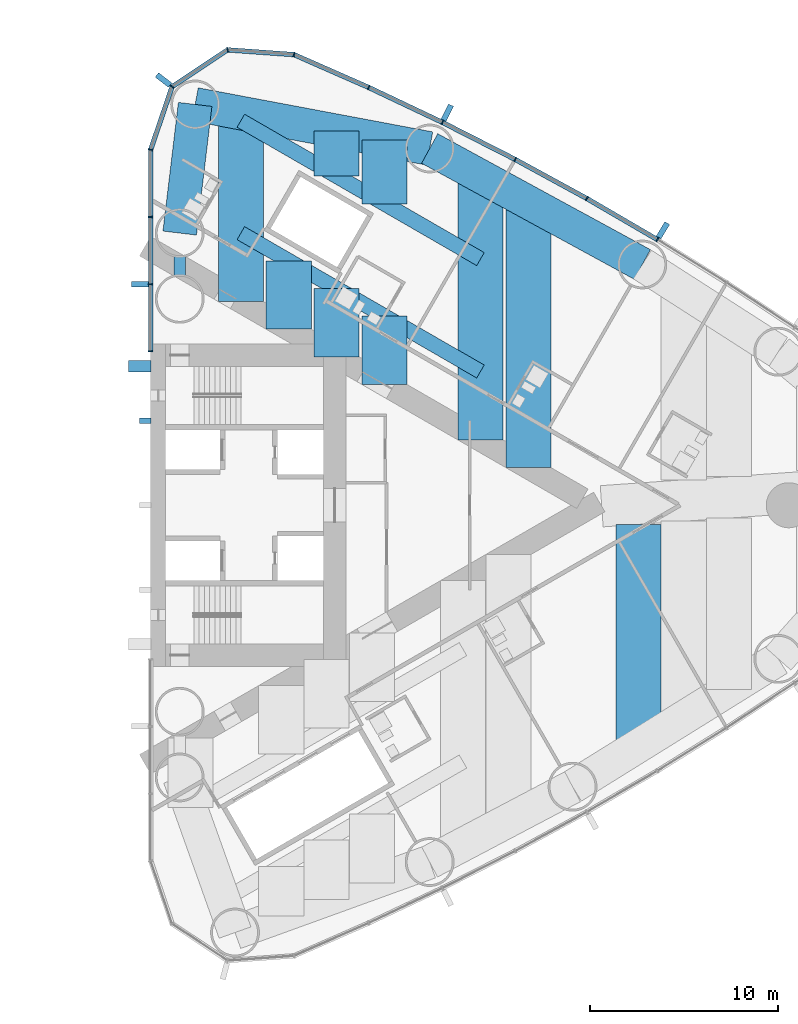
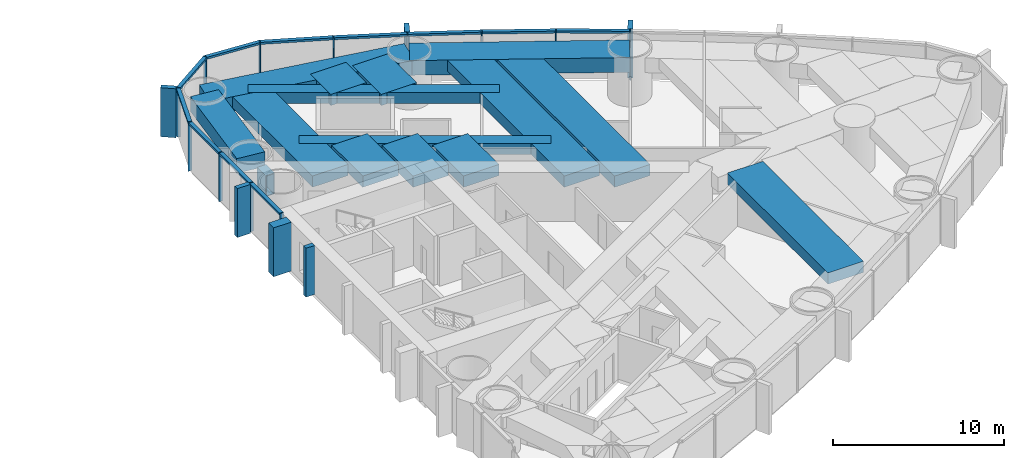
# One storey, part 7 of 19: 29 members, 15 beams, 1 element without a shape of its own.
"""IFC4 building model written with IfcOpenShell, lengths in metres."""

from ifc_helpers import new_model, si_unit, direction, frame, origin, origin_2d, place, context, subcontext, project, spatial, rectangle, hollow_rectangle, extrude, material, material_profile, profile_set, type_object, element, aggregate, save


model = new_model("IFC4")

# Units and contexts
model_context = context("Model", 3, precision=1e-05, world=origin(), true_north=direction((0.0, 1.0)))
body_context = subcontext(model_context, "Body", "Model", "MODEL_VIEW")
ifc_project = project(units=[si_unit("LENGTHUNIT", "METRE"), si_unit("AREAUNIT", "SQUARE_METRE"), si_unit("VOLUMEUNIT", "CUBIC_METRE"), si_unit("PLANEANGLEUNIT", "RADIAN"), si_unit("MASSUNIT", "GRAM", prefix="KILO")], contexts=[model_context])

# Site, building, storey
site_placement = place(None, origin())
site = spatial("IfcSite", under=ifc_project, at=site_placement, CompositionType="ELEMENT")
building_placement = place(site_placement, origin())
building = spatial("IfcBuilding", under=site, at=building_placement, Name="Lancet Gate Hotel", CompositionType="ELEMENT")
storey_placement = place(building_placement, frame((0.0, 0.0, 132.60009765625)))
storey = spatial("IfcBuildingStorey", under=building, at=storey_placement, Name="L35", CompositionType="ELEMENT", Elevation=132.60009765625)

# Curtain wall, members
ifc_material_1 = material(Name="Aluminium curtain wall", Category="aluminium")
curtain_wall_type = type_object("IfcCurtainWallType", Name="Tower unitised curtain wall", PredefinedType="USERDEFINED", material=ifc_material_1)
curtain_wall_placement = place(storey_placement, origin())
curtain_wall = element("IfcCurtainWall", 1, at=curtain_wall_placement, inside=storey, type_object=curtain_wall_type, Name="T2 L35 curtain wall 1", ObjectType="UNITISED CURTAIN WALL", PredefinedType="USERDEFINED")
ifc_material_2 = material(Name="Aluminium mullion", Category="aluminium")
ifc_material_profile_1 = material_profile(ifc_material_2, rectangle(XDim=0.06494140625, YDim=0.25, at=origin_2d()), Name="MULLION 65x250")
ifc_profile_set_1 = profile_set([ifc_material_profile_1], Name="Aluminium mullion")
member_type_1 = type_object("IfcMemberType", Name="Aluminium mullion 65x250", PredefinedType="MULLION", material=ifc_profile_set_1)
member_1_placement = place(storey_placement, frame((54.496337890625, 14.1552734375, 0.0), z_axis=(0.0, 0.0, 1.0), x_axis=(-0.856728030701, 0.515768437781, 0.0)))
member_1 = element("IfcMember", 2, at=member_1_placement, type_object=member_type_1, Name="T2 L35 curtain wall 1 mullion 23", PredefinedType="MULLION", context=body_context, shape_type="SweptSolid", body=[
    extrude(rectangle(XDim=0.06494140625, YDim=0.25, at=origin_2d()), origin(), (0.0, 0.0, 1.0), 3.5),
])
member_2_placement = place(storey_placement, frame((50.740478515625, 16.344482421875, 0.0), z_axis=(0.0, 0.0, 1.0), x_axis=(-0.871028838445, 0.491231882716, 0.0)))
member_2 = element("IfcMember", 3, at=member_2_placement, type_object=member_type_1, Name="T2 L35 curtain wall 1 mullion 24", PredefinedType="MULLION", context=body_context, shape_type="SweptSolid", body=[
    extrude(rectangle(XDim=0.06494140625, YDim=0.25, at=origin_2d()), origin(), (0.0, 0.0, 1.0), 3.5),
])
member_3_placement = place(storey_placement, frame((46.923828125, 18.426025390625, 0.0), z_axis=(0.0, 0.0, 1.0), x_axis=(-0.884627112962, 0.466299121822, 0.0)))
member_3 = element("IfcMember", 4, at=member_3_placement, type_object=member_type_1, Name="T2 L35 curtain wall 1 mullion 25", PredefinedType="MULLION", context=body_context, shape_type="SweptSolid", body=[
    extrude(rectangle(XDim=0.06494140625, YDim=0.25, at=origin_2d()), origin(), (0.0, 0.0, 1.0), 3.5),
])
member_4_placement = place(storey_placement, frame((43.0498046875, 20.398193359375, 0.0), z_axis=(0.0, 0.0, 1.0), x_axis=(-0.897511886496, 0.440990264743, 0.0)))
member_4 = element("IfcMember", 5, at=member_4_placement, type_object=member_type_1, Name="T2 L35 curtain wall 1 mullion 26", PredefinedType="MULLION", context=body_context, shape_type="SweptSolid", body=[
    extrude(rectangle(XDim=0.06494140625, YDim=0.25, at=origin_2d()), origin(), (0.0, 0.0, 1.0), 3.5),
])
member_5_placement = place(storey_placement, frame((39.12109375, 22.259765625, 0.0), z_axis=(0.0, 0.0, 1.0), x_axis=(-0.909672766767, 0.415325724465, 0.0)))
member_5 = element("IfcMember", 6, at=member_5_placement, type_object=member_type_1, Name="T2 L35 curtain wall 1 mullion 27", PredefinedType="MULLION", context=body_context, shape_type="SweptSolid", body=[
    extrude(rectangle(XDim=0.06494140625, YDim=0.25, at=origin_2d()), origin(), (0.0, 0.0, 1.0), 3.5),
])
member_6_placement = place(storey_placement, frame((35.141357421875, 24.009033203125, 0.0), z_axis=(0.0, 0.0, 1.0), x_axis=(-0.966317378791, 0.257353304711, 0.0)))
member_6 = element("IfcMember", 7, at=member_6_placement, type_object=member_type_1, Name="T2 L35 curtain wall 1 mullion 28", PredefinedType="MULLION", context=body_context, shape_type="SweptSolid", body=[
    extrude(rectangle(XDim=0.06494140625, YDim=0.25, at=origin_2d()), origin(), (0.0, 0.0, 1.0), 3.5),
])
member_7_placement = place(storey_placement, frame((31.60205078125, 24.26220703125, 0.0), z_axis=(0.0, 0.0, 1.0), x_axis=(-0.967157174963, -0.254179068604, 0.0)))
member_7 = element("IfcMember", 8, at=member_7_placement, type_object=member_type_1, Name="T2 L35 curtain wall 1 mullion 29", PredefinedType="MULLION", context=body_context, shape_type="SweptSolid", body=[
    extrude(rectangle(XDim=0.06494140625, YDim=0.25, at=origin_2d()), origin(), (0.0, 0.0, 1.0), 3.5),
])
member_8_placement = place(storey_placement, frame((28.64453125, 22.301513671875, 0.0), z_axis=(0.0, 0.0, 1.0), x_axis=(-0.610663954798, -0.79188984986, 0.0)))
member_8 = element("IfcMember", 9, at=member_8_placement, type_object=member_type_1, Name="T2 L35 curtain wall 1 mullion 30", PredefinedType="MULLION", context=body_context, shape_type="SweptSolid", body=[
    extrude(rectangle(XDim=0.06494140625, YDim=0.25, at=origin_2d()), origin(), (0.0, 0.0, 1.0), 3.5),
])
member_9_placement = place(storey_placement, frame((27.5, 18.94287109375, 0.0), z_axis=(0.0, 0.0, 1.0), x_axis=(-0.162738742557, -0.986669195663, 0.0)))
member_9 = element("IfcMember", 10, at=member_9_placement, type_object=member_type_1, Name="T2 L35 curtain wall 1 mullion 31", PredefinedType="MULLION", context=body_context, shape_type="SweptSolid", body=[
    extrude(rectangle(XDim=0.06494140625, YDim=0.25, at=origin_2d()), origin(), (0.0, 0.0, 1.0), 3.5),
])
member_10_placement = place(storey_placement, frame((27.5, 15.362060546875, 0.0), z_axis=(0.0, 0.0, 1.0), x_axis=(0.0, -1.0, 0.0)))
member_10 = element("IfcMember", 11, at=member_10_placement, type_object=member_type_1, Name="T2 L35 curtain wall 1 mullion 32", PredefinedType="MULLION", context=body_context, shape_type="SweptSolid", body=[
    extrude(rectangle(XDim=0.06494140625, YDim=0.25, at=origin_2d()), origin(), (0.0, 0.0, 1.0), 3.5),
])
member_11_placement = place(storey_placement, frame((27.5, 11.781005859375, 0.0), z_axis=(0.0, 0.0, 1.0), x_axis=(0.0, -1.0, 0.0)))
member_11 = element("IfcMember", 12, at=member_11_placement, type_object=member_type_1, Name="T2 L35 curtain wall 1 mullion 33", PredefinedType="MULLION", context=body_context, shape_type="SweptSolid", body=[
    extrude(rectangle(XDim=0.06494140625, YDim=0.25, at=origin_2d()), origin(), (0.0, 0.0, 1.0), 3.5),
])
member_12_placement = place(storey_placement, frame((27.5, 8.199951171875, 0.0), z_axis=(0.0, 0.0, 1.0), x_axis=(0.0, -1.0, 0.0)))
member_12 = element("IfcMember", 13, at=member_12_placement, type_object=member_type_1, Name="T2 L35 curtain wall 1 mullion 34", PredefinedType="MULLION", context=body_context, shape_type="SweptSolid", body=[
    extrude(rectangle(XDim=0.06494140625, YDim=0.25, at=origin_2d()), origin(), (0.0, 0.0, 1.0), 3.5),
])
ifc_material_3 = material(Name="Aluminium transom", Category="aluminium")
ifc_material_profile_2 = material_profile(ifc_material_3, rectangle(XDim=0.25, YDim=0.14990234375, at=origin_2d()), Name="TRANSOM 250x150")
ifc_profile_set_2 = profile_set([ifc_material_profile_2], Name="Aluminium transom")
member_type_2 = type_object("IfcMemberType", Name="Aluminium transom 250x150", PredefinedType="USERDEFINED", material=ifc_profile_set_2)
member_13_placement = place(storey_placement, frame((54.46826171875, 14.171630859375, 3.4248046875), z_axis=(-0.863973212152, 0.503537772847, 0.0), x_axis=(-0.503537772847, -0.863973212152, 0.0)))
member_13 = element("IfcMember", 14, at=member_13_placement, type_object=member_type_2, Name="T2 L35 curtain wall 1 transom 23", ObjectType="TRANSOM", PredefinedType="USERDEFINED", context=body_context, shape_type="SweptSolid", body=[
    extrude(rectangle(XDim=0.25, YDim=0.14990234375, at=origin_2d()), origin(), (0.0, 0.0, 1.0), 4.2822265625),
])
member_14_placement = place(storey_placement, frame((50.7119140625, 16.35986328125, 3.4248046875), z_axis=(-0.877906466435, 0.478832158685, 0.0), x_axis=(-0.478832158685, -0.877906466435, 0.0)))
member_14 = element("IfcMember", 15, at=member_14_placement, type_object=member_type_2, Name="T2 L35 curtain wall 1 transom 24", ObjectType="TRANSOM", PredefinedType="USERDEFINED", context=body_context, shape_type="SweptSolid", body=[
    extrude(rectangle(XDim=0.25, YDim=0.14990234375, at=origin_2d()), origin(), (0.0, 0.0, 1.0), 4.282470703125),
])
member_15_placement = place(storey_placement, frame((46.89501953125, 18.440673828125, 3.4248046875), z_axis=(-0.891165630033, 0.453678101574, 0.0), x_axis=(-0.453678101574, -0.891165630033, 0.0)))
member_15 = element("IfcMember", 16, at=member_15_placement, type_object=member_type_2, Name="T2 L35 curtain wall 1 transom 25", ObjectType="TRANSOM", PredefinedType="USERDEFINED", context=body_context, shape_type="SweptSolid", body=[
    extrude(rectangle(XDim=0.25, YDim=0.14990234375, at=origin_2d()), origin(), (0.0, 0.0, 1.0), 4.282470703125),
])
member_16_placement = place(storey_placement, frame((43.0205078125, 20.412109375, 3.4248046875), z_axis=(-0.903679787814, 0.428208875546, 0.0), x_axis=(-0.428208875546, -0.903679787814, 0.0)))
member_16 = element("IfcMember", 17, at=member_16_placement, type_object=member_type_2, Name="T2 L35 curtain wall 1 transom 26", ObjectType="TRANSOM", PredefinedType="USERDEFINED", context=body_context, shape_type="SweptSolid", body=[
    extrude(rectangle(XDim=0.25, YDim=0.14990234375, at=origin_2d()), origin(), (0.0, 0.0, 1.0), 4.282470703125),
])
member_17_placement = place(storey_placement, frame((39.09130859375, 22.27294921875, 3.4248046875), z_axis=(-0.915484772266, 0.402352621155, 0.0), x_axis=(-0.402352621155, -0.915484772266, 0.0)))
member_17 = element("IfcMember", 18, at=member_17_placement, type_object=member_type_2, Name="T2 L35 curtain wall 1 transom 27", ObjectType="TRANSOM", PredefinedType="USERDEFINED", context=body_context, shape_type="SweptSolid", body=[
    extrude(rectangle(XDim=0.25, YDim=0.14990234375, at=origin_2d()), origin(), (0.0, 0.0, 1.0), 4.281982421875),
])
member_18_placement = place(storey_placement, frame((35.10888671875, 24.01123046875, 3.4248046875), z_axis=(-0.997446232115, 0.071421383636, 0.0), x_axis=(-0.071421383636, -0.997446232115, 0.0)))
member_18 = element("IfcMember", 19, at=member_18_placement, type_object=member_type_2, Name="T2 L35 curtain wall 1 transom 28", ObjectType="TRANSOM", PredefinedType="USERDEFINED", context=body_context, shape_type="SweptSolid", body=[
    extrude(rectangle(XDim=0.25, YDim=0.14990234375, at=origin_2d()), origin(), (0.0, 0.0, 1.0), 3.483154296875),
])
member_19_placement = place(storey_placement, frame((31.574951171875, 24.244384765625, 3.4248046875), z_axis=(-0.833470854141, -0.552563421968, 0.0), x_axis=(0.552563421968, -0.833470854141, 0.0)))
member_19 = element("IfcMember", 20, at=member_19_placement, type_object=member_type_2, Name="T2 L35 curtain wall 1 transom 29", ObjectType="TRANSOM", PredefinedType="USERDEFINED", context=body_context, shape_type="SweptSolid", body=[
    extrude(rectangle(XDim=0.25, YDim=0.14990234375, at=origin_2d()), origin(), (0.0, 0.0, 1.0), 3.4833984375),
])
member_20_placement = place(storey_placement, frame((28.634033203125, 22.270751953125, 3.4248046875), z_axis=(-0.322549769135, -0.946552505903, 0.0), x_axis=(0.946552505903, -0.322549769135, 0.0)))
member_20 = element("IfcMember", 21, at=member_20_placement, type_object=member_type_2, Name="T2 L35 curtain wall 1 transom 30", ObjectType="TRANSOM", PredefinedType="USERDEFINED", context=body_context, shape_type="SweptSolid", body=[
    extrude(rectangle(XDim=0.25, YDim=0.14990234375, at=origin_2d()), origin(), (0.0, 0.0, 1.0), 3.4833984375),
])
member_21_placement = place(storey_placement, frame((27.5, 18.910400390625, 3.4248046875), z_axis=(0.0, -1.0, 0.0), x_axis=(1.0, 0.0, 0.0)))
member_21 = element("IfcMember", 22, at=member_21_placement, type_object=member_type_2, Name="T2 L35 curtain wall 1 transom 31", ObjectType="TRANSOM", PredefinedType="USERDEFINED", context=body_context, shape_type="SweptSolid", body=[
    extrude(rectangle(XDim=0.25, YDim=0.14990234375, at=origin_2d()), origin(), (0.0, 0.0, 1.0), 3.515869140625),
])
member_22_placement = place(storey_placement, frame((27.5, 15.329345703125, 3.4248046875), z_axis=(0.0, -1.0, 0.0), x_axis=(1.0, 0.0, 0.0)))
member_22 = element("IfcMember", 23, at=member_22_placement, type_object=member_type_2, Name="T2 L35 curtain wall 1 transom 32", ObjectType="TRANSOM", PredefinedType="USERDEFINED", context=body_context, shape_type="SweptSolid", body=[
    extrude(rectangle(XDim=0.25, YDim=0.14990234375, at=origin_2d()), origin(), (0.0, 0.0, 1.0), 3.515869140625),
])
member_23_placement = place(storey_placement, frame((27.5, 11.74853515625, 3.4248046875), z_axis=(0.0, -1.0, 0.0), x_axis=(1.0, 0.0, 0.0)))
member_23 = element("IfcMember", 24, at=member_23_placement, type_object=member_type_2, Name="T2 L35 curtain wall 1 transom 33", ObjectType="TRANSOM", PredefinedType="USERDEFINED", context=body_context, shape_type="SweptSolid", body=[
    extrude(rectangle(XDim=0.25, YDim=0.14990234375, at=origin_2d()), origin(), (0.0, 0.0, 1.0), 3.51611328125),
])

# Beams
ifc_material_4 = material(Name="Concrete C50/60", Category="concrete")
ifc_material_profile_3 = material_profile(ifc_material_4, rectangle(XDim=1.800048828125, YDim=1.050048828125, at=origin_2d()), Name="RC 1800x1050")
ifc_profile_set_3 = profile_set([ifc_material_profile_3], Name="Concrete C50/60")
beam_type_1 = type_object("IfcBeamType", Name="Edge beam RC 1800x1050", PredefinedType="SPANDREL", material=ifc_profile_set_3)
beam_1_placement = place(storey_placement, frame((53.697021484375, 12.827392578125, 2.724853515625), z_axis=(-0.87792015078, 0.478807068509, 0.0), x_axis=(-0.478807068509, -0.87792015078, 0.0)))
element("IfcBeam", 25, at=beam_1_placement, inside=storey, type_object=beam_type_1, Name="T2 edge beam EB1 L35", PredefinedType="SPANDREL", context=body_context, shape_type="SweptSolid", body=[
    extrude(rectangle(XDim=1.800048828125, YDim=1.050048828125, at=origin_2d()), origin(), (0.0, 0.0, 1.0), 12.906494140625),
])
beam_2_placement = place(storey_placement, frame((42.3662109375, 19.007080078125, 2.724853515625), z_axis=(-0.982797318081, 0.184687388776, 0.0), x_axis=(-0.184687388776, -0.982797318081, 0.0)))
element("IfcBeam", 26, at=beam_2_placement, inside=storey, type_object=beam_type_1, Name="T2 edge beam EB1 L35", PredefinedType="SPANDREL", context=body_context, shape_type="SweptSolid", body=[
    extrude(rectangle(XDim=1.800048828125, YDim=1.050048828125, at=origin_2d()), origin(), (0.0, 0.0, 1.0), 12.712890625),
])
beam_3_placement = place(storey_placement, frame((29.050048828125, 14.5, 2.724853515625), z_axis=(0.119062951196, 0.99288670736, 0.0), x_axis=(-0.99288670736, 0.119062951196, 0.0)))
element("IfcBeam", 27, at=beam_3_placement, inside=storey, type_object=beam_type_1, Name="T2 edge beam EB1 L35", PredefinedType="SPANDREL", context=body_context, shape_type="SweptSolid", body=[
    extrude(rectangle(XDim=1.800048828125, YDim=1.050048828125, at=origin_2d()), origin(), (0.0, 0.0, 1.0), 6.904052734375),
])

# Member
ifc_material_5 = material(Name="Concrete C60/75", Category="concrete")
ifc_material_profile_4 = material_profile(ifc_material_5, rectangle(XDim=0.60009765625, YDim=1.199951171875, at=origin_2d()), Name="FIN 600x1200")
ifc_profile_set_4 = profile_set([ifc_material_profile_4], Name="Concrete C60/75")
member_type_3 = type_object("IfcMemberType", Name="Exposed concrete buttress pilaster 600x1200", PredefinedType="USERDEFINED", material=ifc_profile_set_4)
member_24_placement = place(storey_placement, frame((26.909912109375, 7.39990234375, 0.0), z_axis=(0.0, 0.0, 1.0), x_axis=(0.0, 1.0, 0.0)))
element("IfcMember", 28, at=member_24_placement, inside=storey, type_object=member_type_3, Name="T2 buttress pilaster N L35", ObjectType="FIN", PredefinedType="USERDEFINED", context=body_context, shape_type="SweptSolid", body=[
    extrude(rectangle(XDim=0.60009765625, YDim=1.199951171875, at=origin_2d()), origin(), (0.0, 0.0, 1.0), 3.5),
])

ifc_material_6 = material(Name="Precast concrete C50/60", Category="concrete")
ifc_material_profile_5 = material_profile(ifc_material_6, rectangle(XDim=0.300048828125, YDim=0.89990234375, at=origin_2d()), Name="FIN 300x900")
ifc_profile_set_5 = profile_set([ifc_material_profile_5], Name="Precast concrete C50/60")
member_type_4 = type_object("IfcMemberType", Name="Exposed concrete fin 300x900", PredefinedType="USERDEFINED", material=ifc_profile_set_5)
member_25_placement = place(storey_placement, frame((54.79296875, 14.64794921875, 0.0), z_axis=(0.0, 0.0, 1.0), x_axis=(-0.856728030701, 0.515768437781, 0.0)))
member_25 = element("IfcMember", 29, at=member_25_placement, type_object=member_type_4, Name="T2 L35 curtain wall 1 fin 23", ObjectType="FIN", PredefinedType="USERDEFINED", context=body_context, shape_type="SweptSolid", body=[
    extrude(rectangle(XDim=0.300048828125, YDim=0.89990234375, at=origin_2d()), origin(), (0.0, 0.0, 1.0), 3.5),
])

member_26_placement = place(storey_placement, frame((43.30322265625, 20.914306640625, 0.0), z_axis=(0.0, 0.0, 1.0), x_axis=(-0.897511886496, 0.440990264743, 0.0)))
member_26 = element("IfcMember", 30, at=member_26_placement, type_object=member_type_4, Name="T2 L35 curtain wall 1 fin 26", ObjectType="FIN", PredefinedType="USERDEFINED", context=body_context, shape_type="SweptSolid", body=[
    extrude(rectangle(XDim=0.300048828125, YDim=0.89990234375, at=origin_2d()), origin(), (0.0, 0.0, 1.0), 3.5),
])

member_27_placement = place(storey_placement, frame((28.189208984375, 22.65283203125, 0.0), z_axis=(0.0, 0.0, 1.0), x_axis=(-0.610663954798, -0.79188984986, 0.0)))
member_27 = element("IfcMember", 31, at=member_27_placement, type_object=member_type_4, Name="T2 L35 curtain wall 1 fin 30", ObjectType="FIN", PredefinedType="USERDEFINED", context=body_context, shape_type="SweptSolid", body=[
    extrude(rectangle(XDim=0.300048828125, YDim=0.89990234375, at=origin_2d()), origin(), (0.0, 0.0, 1.0), 3.5),
])

member_28_placement = place(storey_placement, frame((26.925048828125, 11.781005859375, 0.0), z_axis=(0.0, 0.0, 1.0), x_axis=(0.0, -1.0, 0.0)))
member_28 = element("IfcMember", 32, at=member_28_placement, type_object=member_type_4, Name="T2 L35 curtain wall 1 fin 33", ObjectType="FIN", PredefinedType="USERDEFINED", context=body_context, shape_type="SweptSolid", body=[
    extrude(rectangle(XDim=0.300048828125, YDim=0.89990234375, at=origin_2d()), origin(), (0.0, 0.0, 1.0), 3.5),
])

aggregate(curtain_wall, [member_1, member_25, member_2, member_3, member_4, member_26, member_5, member_6, member_7, member_8, member_27, member_9, member_10, member_11, member_28, member_12, member_13, member_14, member_15, member_16, member_17, member_18, member_19, member_20, member_21, member_22, member_23])

ifc_material_7 = material(Name="Concrete C60/75", Category="concrete")
ifc_material_profile_6 = material_profile(ifc_material_7, rectangle(XDim=0.300048828125, YDim=0.60009765625, at=origin_2d()), Name="FIN 300x600")
ifc_profile_set_6 = profile_set([ifc_material_profile_6], Name="Concrete C60/75")
member_type_5 = type_object("IfcMemberType", Name="Exposed concrete rib 300x600", PredefinedType="USERDEFINED", material=ifc_profile_set_6)
member_29_placement = place(storey_placement, frame((27.2099609375, 4.5, 0.0), z_axis=(0.0, 0.0, 1.0), x_axis=(0.0, 1.0, 0.0)))
element("IfcMember", 33, at=member_29_placement, inside=storey, type_object=member_type_5, Name="T2 core rib 3 L35", ObjectType="FIN", PredefinedType="USERDEFINED", context=body_context, shape_type="SweptSolid", body=[
    extrude(rectangle(XDim=0.300048828125, YDim=0.60009765625, at=origin_2d()), origin(), (0.0, 0.0, 1.0), 3.5),
])

# Beams
ifc_material_8 = material(Name="Concrete C50/60", Category="concrete")
ifc_material_profile_7 = material_profile(ifc_material_8, rectangle(XDim=2.39990234375, YDim=0.800048828125, at=origin_2d()), Name="RC 2400x800")
ifc_profile_set_7 = profile_set([ifc_material_profile_7], Name="Concrete C50/60")
beam_type_2 = type_object("IfcBeamType", Name="Floor beam RC 2400x800", PredefinedType="BEAM", material=ifc_profile_set_7)
beam_4_placement = place(storey_placement, frame((32.306396484375, 10.851806640625, 2.849853515625), z_axis=(0.0, 1.0, 0.0), x_axis=(-1.0, 0.0, 0.0)))
element("IfcBeam", 34, at=beam_4_placement, inside=storey, type_object=beam_type_2, Name="T2 floor beam F02N L35", PredefinedType="BEAM", context=body_context, shape_type="SweptSolid", body=[
    extrude(rectangle(XDim=2.39990234375, YDim=0.800048828125, at=origin_2d()), origin(), (0.0, 0.0, 1.0), 10.0458984375),
])
beam_5_placement = place(storey_placement, frame((45.072265625, 3.4814453125, 2.849853515625), z_axis=(0.0, 1.0, 0.0), x_axis=(-1.0, 0.0, 0.0)))
element("IfcBeam", 35, at=beam_5_placement, inside=storey, type_object=beam_type_2, Name="T2 floor beam F10N L35", PredefinedType="BEAM", context=body_context, shape_type="SweptSolid", body=[
    extrude(rectangle(XDim=2.39990234375, YDim=0.800048828125, at=origin_2d()), origin(), (0.0, 0.0, 1.0), 14.0498046875),
])
beam_6_placement = place(storey_placement, frame((47.62548828125, 2.00732421875, 2.849853515625), z_axis=(0.0, 1.0, 0.0), x_axis=(-1.0, 0.0, 0.0)))
element("IfcBeam", 36, at=beam_6_placement, inside=storey, type_object=beam_type_2, Name="T2 floor beam F12N L35", PredefinedType="BEAM", context=body_context, shape_type="SweptSolid", body=[
    extrude(rectangle(XDim=2.39990234375, YDim=0.800048828125, at=origin_2d()), origin(), (0.0, 0.0, 1.0), 14.13134765625),
])
beam_7_placement = place(storey_placement, frame((53.502197265625, -12.804443359375, 2.849853515625), z_axis=(0.0, 1.0, 0.0), x_axis=(-1.0, 0.0, 0.0)))
element("IfcBeam", 37, at=beam_7_placement, inside=storey, type_object=beam_type_2, Name="T2 floor beam F13S L35", PredefinedType="BEAM", context=body_context, shape_type="SweptSolid", body=[
    extrude(rectangle(XDim=2.39990234375, YDim=0.800048828125, at=origin_2d()), origin(), (0.0, 0.0, 1.0), 11.78564453125),
])
beam_8_placement = place(storey_placement, frame((34.859619140625, 9.377685546875, 2.849853515625), z_axis=(0.0, 1.0, 0.0), x_axis=(-1.0, 0.0, 0.0)))
element("IfcBeam", 38, at=beam_8_placement, inside=storey, type_object=beam_type_2, Name="T2 floor beam F04NA L35", PredefinedType="BEAM", context=body_context, shape_type="SweptSolid", body=[
    extrude(rectangle(XDim=2.39990234375, YDim=0.800048828125, at=origin_2d()), origin(), (0.0, 0.0, 1.0), 3.645751953125),
])
beam_9_placement = place(storey_placement, frame((37.412841796875, 7.903564453125, 2.849853515625), z_axis=(0.0, 1.0, 0.0), x_axis=(-1.0, 0.0, 0.0)))
element("IfcBeam", 39, at=beam_9_placement, inside=storey, type_object=beam_type_2, Name="T2 floor beam F06NA L35", PredefinedType="BEAM", context=body_context, shape_type="SweptSolid", body=[
    extrude(rectangle(XDim=2.39990234375, YDim=0.800048828125, at=origin_2d()), origin(), (0.0, 0.0, 1.0), 3.6455078125),
])
beam_10_placement = place(storey_placement, frame((37.412841796875, 17.537109375, 2.849853515625), z_axis=(0.0, 1.0, 0.0), x_axis=(-1.0, 0.0, 0.0)))
element("IfcBeam", 40, at=beam_10_placement, inside=storey, type_object=beam_type_2, Name="T2 floor beam F06NB L35", PredefinedType="BEAM", context=body_context, shape_type="SweptSolid", body=[
    extrude(rectangle(XDim=2.39990234375, YDim=0.800048828125, at=origin_2d()), origin(), (0.0, 0.0, 1.0), 2.40087890625),
])
beam_11_placement = place(storey_placement, frame((39.9658203125, 6.429443359375, 2.849853515625), z_axis=(0.0, 1.0, 0.0), x_axis=(-1.0, 0.0, 0.0)))
element("IfcBeam", 41, at=beam_11_placement, inside=storey, type_object=beam_type_2, Name="T2 floor beam F08NA L35", PredefinedType="BEAM", context=body_context, shape_type="SweptSolid", body=[
    extrude(rectangle(XDim=2.39990234375, YDim=0.800048828125, at=origin_2d()), origin(), (0.0, 0.0, 1.0), 3.64501953125),
])
beam_12_placement = place(storey_placement, frame((39.9658203125, 16.062744140625, 2.849853515625), z_axis=(0.0, 1.0, 0.0), x_axis=(-1.0, 0.0, 0.0)))
element("IfcBeam", 42, at=beam_12_placement, inside=storey, type_object=beam_type_2, Name="T2 floor beam F08NB L35", PredefinedType="BEAM", context=body_context, shape_type="SweptSolid", body=[
    extrude(rectangle(XDim=2.39990234375, YDim=0.800048828125, at=origin_2d()), origin(), (0.0, 0.0, 1.0), 3.3955078125),
])
ifc_material_9 = material(Name="Steel S460QL", Category="steel")
ifc_material_profile_8 = material_profile(ifc_material_9, hollow_rectangle(XDim=0.60009765625, YDim=1.5, WallThickness=0.050048828125, at=origin_2d()), Name="BOX 1500x600x50")
ifc_profile_set_8 = profile_set([ifc_material_profile_8], Name="Steel S460QL")
beam_type_3 = type_object("IfcBeamType", Name="Inner-face link beam BOX 1500x600x50", PredefinedType="BEAM", material=ifc_profile_set_8)
beam_13_placement = place(storey_placement, frame((29.050048828125, 12.25, 2.5), z_axis=(0.0, 1.0, 0.0), x_axis=(-1.0, 0.0, 0.0)))
element("IfcBeam", 43, at=beam_13_placement, inside=storey, type_object=beam_type_3, Name="T2 inner-face link beam LK1 L35", PredefinedType="BEAM", context=body_context, shape_type="SweptSolid", body=[
    extrude(hollow_rectangle(XDim=0.60009765625, YDim=1.5, WallThickness=0.050048828125, at=origin_2d()), origin(), (0.0, 0.0, 1.0), 1.0),
])
ifc_material_10 = material(Name="Steel S460QL", Category="steel")
ifc_material_profile_9 = material_profile(ifc_material_10, hollow_rectangle(XDim=0.800048828125, YDim=0.800048828125, WallThickness=0.080078125, at=origin_2d()), Name="BOX 800x800x80")
ifc_profile_set_9 = profile_set([ifc_material_profile_9], Name="Steel S460QL")
beam_type_4 = type_object("IfcBeamType", Name="Trimmer beam BOX 800x800x80", PredefinedType="BEAM", material=ifc_profile_set_9)
beam_14_placement = place(storey_placement, frame((32.306396484375, 20.48583984375, 2.849853515625), z_axis=(0.86598286195, -0.500073677381, 0.0), x_axis=(0.500073677381, 0.86598286195, 0.0)))
element("IfcBeam", 44, at=beam_14_placement, inside=storey, type_object=beam_type_4, Name="T2 trimmer beam TR03N L35", PredefinedType="BEAM", context=body_context, shape_type="SweptSolid", body=[
    extrude(hollow_rectangle(XDim=0.800048828125, YDim=0.800048828125, WallThickness=0.080078125, at=origin_2d()), origin(), (0.0, 0.0, 1.0), 14.741455078125),
])
beam_15_placement = place(storey_placement, frame((32.306396484375, 14.497802734375, 2.849853515625), z_axis=(0.865975689888, -0.500086097111, 0.0), x_axis=(0.500086097111, 0.865975689888, 0.0)))
element("IfcBeam", 45, at=beam_15_placement, inside=storey, type_object=beam_type_4, Name="T2 trimmer beam TR04N L35", PredefinedType="BEAM", context=body_context, shape_type="SweptSolid", body=[
    extrude(hollow_rectangle(XDim=0.800048828125, YDim=0.800048828125, WallThickness=0.080078125, at=origin_2d()), origin(), (0.0, 0.0, 1.0), 14.74169921875),
])

save(model, "model.ifc")
